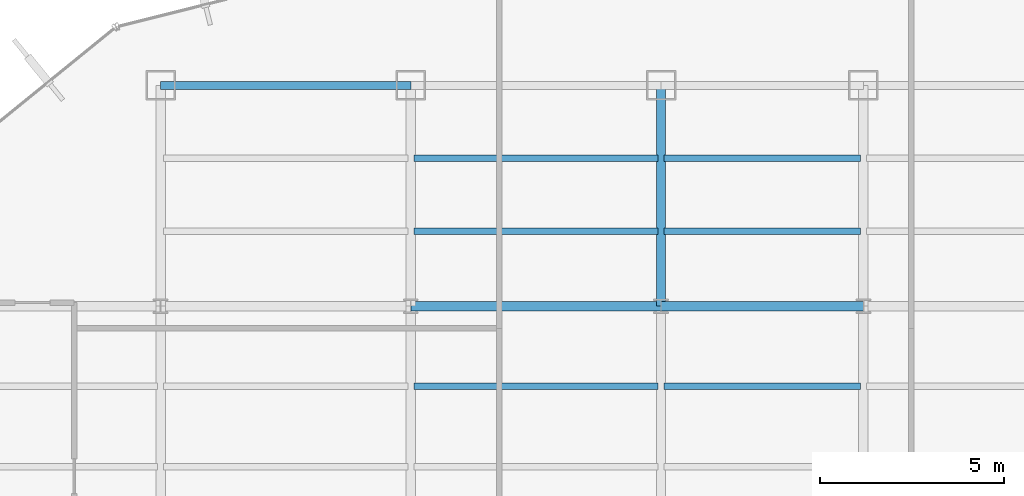
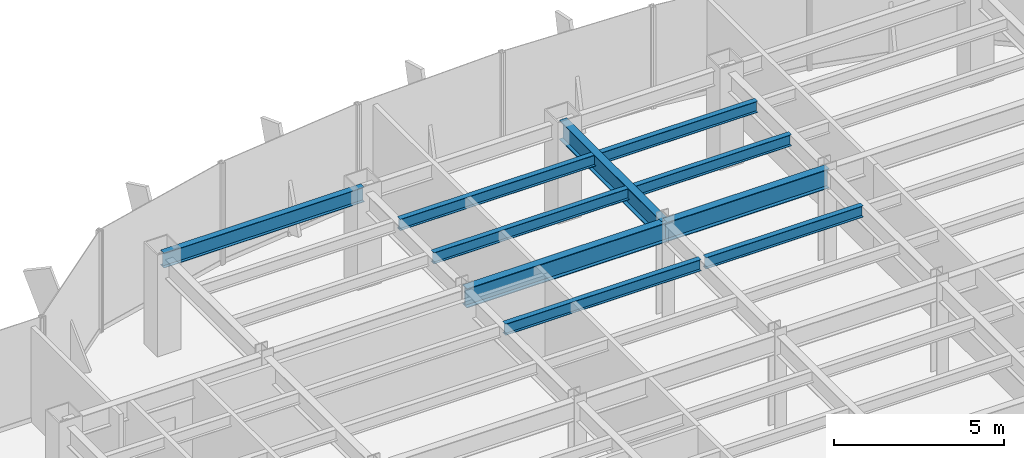
# One storey, part 15 of 26: 10 beams.
"""IFC4 building model written with IfcOpenShell, lengths in metres."""

from ifc_helpers import new_model, si_unit, derived_unit, direction, frame, origin, origin_2d, place, context, subcontext, project, spatial, i_section, extrude, source, transform, mapped, material, material_profile, profile_set, type_object, element, save


model = new_model("IFC4")

# Units and contexts
model_context = context("Model", 3, precision=1e-05, world=origin(), true_north=direction((0.0, 1.0)))
body_context = subcontext(model_context, "Body", "Model", "MODEL_VIEW")
ifc_project = project(units=[si_unit("LENGTHUNIT", "METRE"), si_unit("AREAUNIT", "SQUARE_METRE"), si_unit("VOLUMEUNIT", "CUBIC_METRE"), si_unit("PLANEANGLEUNIT", "RADIAN"), si_unit("MASSUNIT", "GRAM", prefix="KILO"), derived_unit("THERMALTRANSMITTANCEUNIT", [(si_unit("POWERUNIT", "WATT"), 1), (si_unit("LENGTHUNIT", "METRE"), -2), (si_unit("THERMODYNAMICTEMPERATUREUNIT", "KELVIN"), -1)])], contexts=[model_context])

# Site, building, storey
site_placement = place(None, origin())
site = spatial("IfcSite", under=ifc_project, at=site_placement, CompositionType="ELEMENT")
building_placement = place(site_placement, origin())
building = spatial("IfcBuilding", under=site, at=building_placement, Name="Skarnbrae Concourse Arena and Tower", CompositionType="ELEMENT")
storey_placement = place(building_placement, frame((0.0, 0.0, 125.14990234375)))
storey = spatial("IfcBuildingStorey", under=building, at=storey_placement, Name="L31", CompositionType="ELEMENT", Elevation=125.14990234375)

# Beams
ifc_material = material(Name="Steel CSA G40.21 350W", Category="steel")
ifc_material_profile_1 = material_profile(ifc_material, i_section(OverallWidth=0.256103515625, OverallDepth=0.693115234375, WebThickness=0.014404296875, FlangeThickness=0.023681640625, at=origin_2d()), Name="W690X170")
ifc_profile_set_1 = profile_set([ifc_material_profile_1], Name="Steel CSA G40.21 350W")
beam_type_1 = type_object("IfcBeamType", Name="BM-GIRD-W690X170", PredefinedType="BEAM", material=ifc_profile_set_1)
shared_shape_1 = source(origin(), body_context, "Body", "SweptSolid", [
    extrude(i_section(OverallWidth=0.256103515625, OverallDepth=0.693115234375, WebThickness=0.014404296875, FlangeThickness=0.023681640625, at=origin_2d()), origin(), (0.0, 0.0, 1.0), 6.800048828125),
])
beam_1_placement = place(storey_placement, frame((21.199951171875, 34.39990234375, 3.0537109375), z_axis=(1.0, 0.0, 0.0), x_axis=(0.0, 1.0, 0.0)))
element("IfcBeam", 1, at=beam_1_placement, inside=storey, type_object=beam_type_1, Name="L31 Primary E-W girder Y34.4-3", PredefinedType="BEAM", context=body_context, shape_type="MappedRepresentation", body=[
    mapped(shared_shape_1, transform((0.0, 0.0, 0.0))),
])
shared_shape_2 = source(origin(), body_context, "Body", "SweptSolid", [
    extrude(i_section(OverallWidth=0.256103515625, OverallDepth=0.693115234375, WebThickness=0.014404296875, FlangeThickness=0.023681640625, at=origin_2d()), origin(), (0.0, 0.0, 1.0), 5.5),
])
beam_2_placement = place(storey_placement, frame((28.0, 34.39990234375, 3.0537109375), z_axis=(1.0, 0.0, 0.0), x_axis=(0.0, 1.0, 0.0)))
element("IfcBeam", 2, at=beam_2_placement, inside=storey, type_object=beam_type_1, Name="L31 Primary E-W girder Y34.4-4", PredefinedType="BEAM", context=body_context, shape_type="MappedRepresentation", body=[
    mapped(shared_shape_2, transform((0.0, 0.0, 0.0))),
])
ifc_material_profile_2 = material_profile(ifc_material, i_section(OverallWidth=0.208984375, OverallDepth=0.532958984375, WebThickness=0.01025390625, FlangeThickness=0.015625, at=origin_2d()), Name="W530X92")
ifc_profile_set_2 = profile_set([ifc_material_profile_2], Name="Steel CSA G40.21 350W")
beam_type_2 = type_object("IfcBeamType", Name="BM-SPAN-W530X92", PredefinedType="SPANDREL", material=ifc_profile_set_2)
shared_shape_3 = source(origin(), body_context, "Body", "SweptSolid", [
    extrude(i_section(OverallWidth=0.208984375, OverallDepth=0.532958984375, WebThickness=0.01025390625, FlangeThickness=0.015625, at=origin_2d()), origin(), (0.0, 0.0, 1.0), 6.800048828125),
])
beam_3_placement = place(storey_placement, frame((14.39990234375, 40.39990234375, 3.133544921875), z_axis=(1.0, 0.0, 0.0), x_axis=(0.0, 1.0, 0.0)))
element("IfcBeam", 3, at=beam_3_placement, inside=storey, type_object=beam_type_2, Name="L31 Perimeter spandrel Y40.4-1", PredefinedType="SPANDREL", context=body_context, shape_type="MappedRepresentation", body=[
    mapped(shared_shape_3, transform((0.0, 0.0, 0.0))),
])
shared_shape_4 = source(origin(), body_context, "Body", "SweptSolid", [
    extrude(i_section(OverallWidth=0.256103515625, OverallDepth=0.693115234375, WebThickness=0.014404296875, FlangeThickness=0.023681640625, at=origin_2d()), origin(), (0.0, 0.0, 1.0), 6.0),
])
beam_4_placement = place(storey_placement, frame((28.0, 34.39990234375, 3.0537109375), z_axis=(0.0, 1.0, 0.0), x_axis=(-1.0, 0.0, 0.0)))
element("IfcBeam", 4, at=beam_4_placement, inside=storey, type_object=beam_type_1, Name="L31 Primary N-S girder X28.0-4", PredefinedType="BEAM", context=body_context, shape_type="MappedRepresentation", body=[
    mapped(shared_shape_4, transform((0.0, 0.0, 0.0))),
])
ifc_material_profile_3 = material_profile(ifc_material, i_section(OverallWidth=0.177978515625, OverallDepth=0.406982421875, WebThickness=0.0078125, FlangeThickness=0.0126953125, at=origin_2d()), Name="W410X60")
ifc_profile_set_3 = profile_set([ifc_material_profile_3], Name="Steel CSA G40.21 350W")
beam_type_3 = type_object("IfcBeamType", Name="BM-JOIST-W410X60", PredefinedType="JOIST", material=ifc_profile_set_3)
shared_shape_5 = source(origin(), body_context, "Body", "SweptSolid", [
    extrude(i_section(OverallWidth=0.177978515625, OverallDepth=0.406982421875, WebThickness=0.0078125, FlangeThickness=0.0126953125, at=origin_2d()), origin(), (0.0, 0.0, 1.0), 6.639892578125),
])
for number, where, z_axis, x_axis, name in (
    (5, (21.280029296875, 32.221923828125, 3.196533203125), (1.0, 0.0, 0.0), (0.0, 1.0, 0.0), "L31 Secondary floor joist 3.2.3"),
    (6, (21.280029296875, 36.43994140625, 3.196533203125), (1.0, 0.0, 0.0), (0.0, 1.0, 0.0), "L31 Secondary floor joist 4.1.2"),
    (7, (21.280029296875, 38.419921875, 3.196533203125), (1.0, 0.0, 0.0), (0.0, 1.0, 0.0), "L31 Secondary floor joist 4.2.2"),
):
    element("IfcBeam", number, at=place(storey_placement, frame(where, z_axis=z_axis, x_axis=x_axis)), inside=storey, type_object=beam_type_3, Name=name, PredefinedType="JOIST", context=body_context, shape_type="MappedRepresentation", body=[
        mapped(shared_shape_5, transform((0.0, 0.0, 0.0))),
    ])
shared_shape_6 = source(origin(), body_context, "Body", "SweptSolid", [
    extrude(i_section(OverallWidth=0.177978515625, OverallDepth=0.406982421875, WebThickness=0.0078125, FlangeThickness=0.0126953125, at=origin_2d()), origin(), (0.0, 0.0, 1.0), 5.33984375),
])
for number, where, z_axis, x_axis, name in (
    (8, (28.080078125, 32.221923828125, 3.196533203125), (1.0, 0.0, 0.0), (0.0, 1.0, 0.0), "L31 Secondary floor joist 3.2.4"),
    (9, (28.080078125, 36.43994140625, 3.196533203125), (1.0, 0.0, 0.0), (0.0, 1.0, 0.0), "L31 Secondary floor joist 4.1.3"),
    (10, (28.080078125, 38.419921875, 3.196533203125), (1.0, 0.0, 0.0), (0.0, 1.0, 0.0), "L31 Secondary floor joist 4.2.3"),
):
    element("IfcBeam", number, at=place(storey_placement, frame(where, z_axis=z_axis, x_axis=x_axis)), inside=storey, type_object=beam_type_3, Name=name, PredefinedType="JOIST", context=body_context, shape_type="MappedRepresentation", body=[
        mapped(shared_shape_6, transform((0.0, 0.0, 0.0))),
    ])

save(model, "model.ifc")
